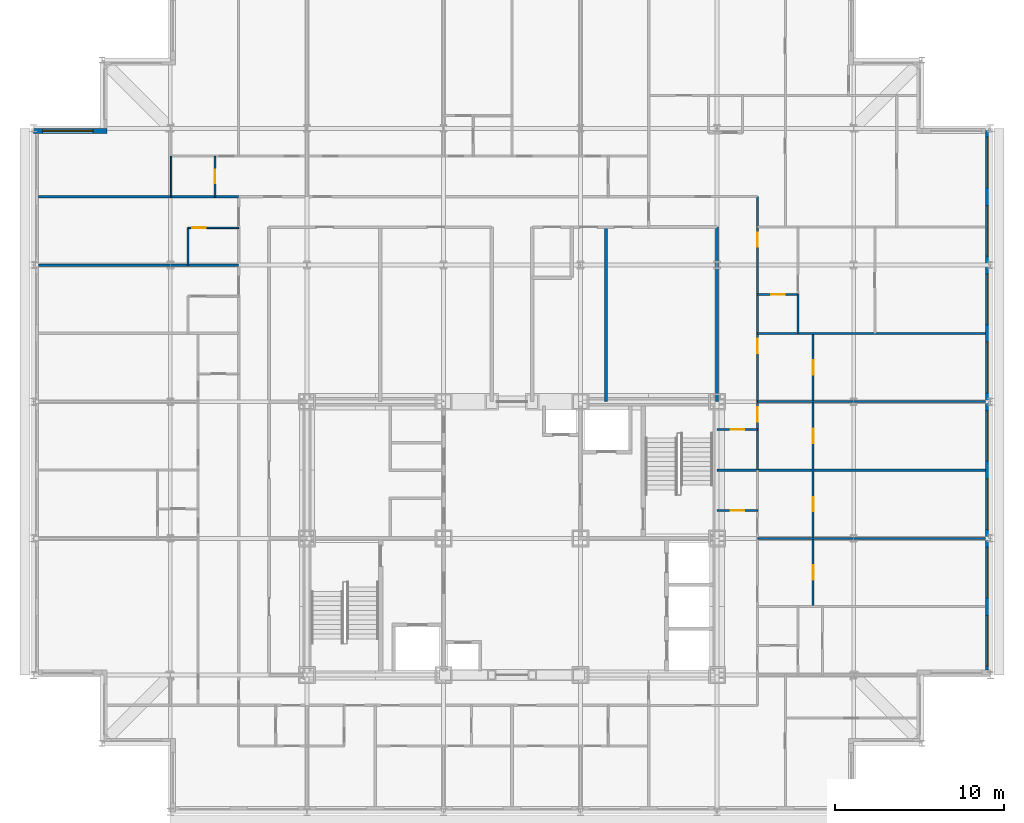
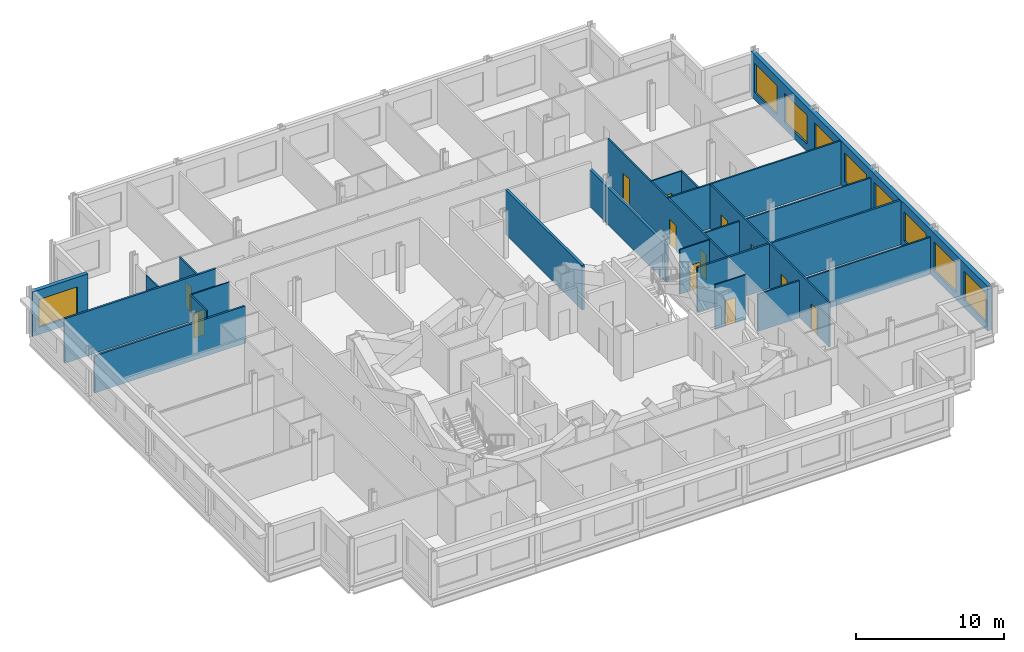
# One storey, part 11 of 15: 20 walls, 12 doors, 9 windows, 21 openings.
"""IFC4 building model written with IfcOpenShell, lengths in metres."""

from ifc_helpers import new_model, si_unit, direction, frame, frame_2d, origin, place, context, subcontext, project, spatial, rectangle, extrude, material, layer, layer_set, type_object, element, fill, save


model = new_model("IFC4")

# Units and contexts
model_context = context("Model", 3, precision=1e-05, world=origin(), true_north=direction((0.0, 1.0)))
body_context = subcontext(model_context, "Body", "Model", "MODEL_VIEW")
ifc_project = project(units=[si_unit("LENGTHUNIT", "METRE"), si_unit("AREAUNIT", "SQUARE_METRE"), si_unit("VOLUMEUNIT", "CUBIC_METRE"), si_unit("PLANEANGLEUNIT", "RADIAN"), si_unit("MASSUNIT", "GRAM", prefix="KILO")], contexts=[model_context])

# Site, building, storey
site_placement = place(None, origin())
site = spatial("IfcSite", under=ifc_project, at=site_placement, CompositionType="ELEMENT")
building_placement = place(site_placement, origin())
building = spatial("IfcBuilding", under=site, at=building_placement, Name="Kopane Lantern Tower", CompositionType="ELEMENT")
storey_placement = place(building_placement, frame((0.0, 0.0, 250.199951171875)))
storey = spatial("IfcBuildingStorey", under=building, at=storey_placement, Name="L64", CompositionType="ELEMENT", Elevation=250.199951171875)

# Wall
ifc_material_1 = material(Name="Gypsum board on steel studs", Category="steel")
ifc_layer_1 = layer(ifc_material_1, 0.1201171875)
ifc_layer_set_1 = layer_set([ifc_layer_1], Name="APARTMENT INTERNAL WALL 120")
wall_type_1 = type_object("IfcWallType", Name="APARTMENT INTERNAL WALL 120", PredefinedType="PARTITIONING", material=ifc_layer_set_1)
wall_1_placement = place(storey_placement, frame((42.89990234375, 32.39990234375, 0.0), z_axis=(0.0, 0.0, 1.0), x_axis=(1.0, 0.0, 0.0)))
element("IfcWall", 1, at=wall_1_placement, inside=storey, type_object=wall_type_1, Name="Apartment Internal Wall 120 L64", PredefinedType="PARTITIONING", context=body_context, shape_type="SweptSolid", body=[
    extrude(rectangle(XDim=13.5, YDim=0.1201171875, at=frame_2d((6.75, 0.0))), origin(), (0.0, 0.0, 1.0), 3.077880859375),
])

# Wall, openings, doors
wall_2_placement = place(storey_placement, frame((42.89990234375, 52.64990234375, 0.0), z_axis=(0.0, 0.0, 1.0), x_axis=(0.0, -1.0, 0.0)))
wall_2 = element("IfcWall", 2, at=wall_2_placement, inside=storey, type_object=wall_type_1, Name="Apartment Internal Wall 120 L64", PredefinedType="PARTITIONING", context=body_context, shape_type="SweptSolid", body=[
    extrude(rectangle(XDim=16.199951171875, YDim=0.1201171875, at=frame_2d((8.10009765625, 0.0))), origin(), (0.0, 0.0, 1.0), 3.68994140625),
])
opening_1_placement = place(wall_2_placement, frame((2.125, 0.0, 0.0)))
opening_1 = element("IfcOpeningElement", 3, at=opening_1_placement, cuts=wall_2, Name="Opening L64-058", PredefinedType="OPENING", context=body_context, shape_type="SweptSolid", body=[
    extrude(rectangle(XDim=0.85009765625, YDim=2.10009765625, at=frame_2d((0.425048828125, 1.050048828125))), frame((0.0, 0.070068359375, 0.0), z_axis=(0.0, -1.0, 0.0), x_axis=(1.0, 0.0, 0.0)), (0.0, 0.0, 1.0), 0.14013671875),
])
opening_2_placement = place(wall_2_placement, frame((8.425048828125, 0.0, 0.0)))
opening_2 = element("IfcOpeningElement", 4, at=opening_2_placement, cuts=wall_2, Name="Opening L64-059", PredefinedType="OPENING", context=body_context, shape_type="SweptSolid", body=[
    extrude(rectangle(XDim=0.85009765625, YDim=2.10009765625, at=frame_2d((0.425048828125, 1.050048828125))), frame((0.0, 0.070068359375, 0.0), z_axis=(0.0, -1.0, 0.0), x_axis=(1.0, 0.0, 0.0)), (0.0, 0.0, 1.0), 0.14013671875),
])
opening_3_placement = place(wall_2_placement, frame((12.47509765625, 0.0, 0.0)))
opening_3 = element("IfcOpeningElement", 5, at=opening_3_placement, cuts=wall_2, Name="Opening L64-060", PredefinedType="OPENING", context=body_context, shape_type="SweptSolid", body=[
    extrude(rectangle(XDim=0.85009765625, YDim=2.10009765625, at=frame_2d((0.425048828125, 1.050048828125))), frame((0.0, 0.070068359375, 0.0), z_axis=(0.0, -1.0, 0.0), x_axis=(1.0, 0.0, 0.0)), (0.0, 0.0, 1.0), 0.14013671875),
])
ifc_material_2 = material(Name="Timber door set", Category="wood")
door_type_1 = type_object("IfcDoorType", Name="DOOR D4 850x2100", OperationType="SINGLE_SWING_LEFT", PredefinedType="DOOR", material=ifc_material_2)
door_1_placement = place(opening_1_placement, origin())
door_1 = element("IfcDoor", 6, at=door_1_placement, inside=storey, type_object=door_type_1, Name="Door L64-058", OperationType="SINGLE_SWING_LEFT", OverallHeight=2.10009765625, OverallWidth=0.85009765625, PredefinedType="DOOR", context=body_context, shape_type="SweptSolid", body=[
    extrude(rectangle(XDim=0.85009765625, YDim=2.10009765625, at=frame_2d((0.425048828125, 1.050048828125))), frame((0.0, 0.02490234375, 0.0), z_axis=(0.0, -1.0, 0.0), x_axis=(1.0, 0.0, 0.0)), (0.0, 0.0, 1.0), 0.050048828125),
])
fill(opening_1, door_1)
door_2_placement = place(opening_2_placement, origin())
door_2 = element("IfcDoor", 7, at=door_2_placement, inside=storey, type_object=door_type_1, Name="Door L64-059", OperationType="SINGLE_SWING_LEFT", OverallHeight=2.10009765625, OverallWidth=0.85009765625, PredefinedType="DOOR", context=body_context, shape_type="SweptSolid", body=[
    extrude(rectangle(XDim=0.85009765625, YDim=2.10009765625, at=frame_2d((0.425048828125, 1.050048828125))), frame((0.0, 0.02490234375, 0.0), z_axis=(0.0, -1.0, 0.0), x_axis=(1.0, 0.0, 0.0)), (0.0, 0.0, 1.0), 0.050048828125),
])
fill(opening_2, door_2)
door_3_placement = place(opening_3_placement, origin())
door_3 = element("IfcDoor", 8, at=door_3_placement, inside=storey, type_object=door_type_1, Name="Door L64-060", OperationType="SINGLE_SWING_LEFT", OverallHeight=2.10009765625, OverallWidth=0.85009765625, PredefinedType="DOOR", context=body_context, shape_type="SweptSolid", body=[
    extrude(rectangle(XDim=0.85009765625, YDim=2.10009765625, at=frame_2d((0.425048828125, 1.050048828125))), frame((0.0, 0.02490234375, 0.0), z_axis=(0.0, -1.0, 0.0), x_axis=(1.0, 0.0, 0.0)), (0.0, 0.0, 1.0), 0.050048828125),
])
fill(opening_3, door_3)

# Walls
wall_3_placement = place(storey_placement, frame((42.89990234375, 44.550048828125, 0.0), z_axis=(0.0, 0.0, 1.0), x_axis=(1.0, 0.0, 0.0)))
element("IfcWall", 9, at=wall_3_placement, inside=storey, type_object=wall_type_1, Name="Apartment Internal Wall 120 L64", PredefinedType="PARTITIONING", context=body_context, shape_type="SweptSolid", body=[
    extrude(rectangle(XDim=13.5, YDim=0.1201171875, at=frame_2d((6.75, 0.0))), origin(), (0.0, 0.0, 1.0), 3.68994140625),
])
wall_4_placement = place(storey_placement, frame((42.89990234375, 40.5, 0.0), z_axis=(0.0, 0.0, 1.0), x_axis=(1.0, 0.0, 0.0)))
element("IfcWall", 10, at=wall_4_placement, inside=storey, type_object=wall_type_1, Name="Apartment Internal Wall 120 L64", PredefinedType="PARTITIONING", context=body_context, shape_type="SweptSolid", body=[
    extrude(rectangle(XDim=13.5, YDim=0.1201171875, at=frame_2d((6.75, 0.0))), origin(), (0.0, 0.0, 1.0), 3.077880859375),
])

# Wall, openings, doors
wall_5_placement = place(storey_placement, frame((46.199951171875, 28.35009765625, 0.0), z_axis=(0.0, 0.0, 1.0), x_axis=(0.0, 1.0, 0.0)))
wall_5 = element("IfcWall", 11, at=wall_5_placement, inside=storey, type_object=wall_type_1, Name="Apartment Internal Wall 120 L64", PredefinedType="PARTITIONING", context=body_context, shape_type="SweptSolid", body=[
    extrude(rectangle(XDim=16.199951171875, YDim=0.1201171875, at=frame_2d((8.10009765625, 0.0))), origin(), (0.0, 0.0, 1.0), 3.68994140625),
])
opening_4_placement = place(wall_5_placement, frame((1.60009765625, 0.0, 0.0)))
opening_4 = element("IfcOpeningElement", 12, at=opening_4_placement, cuts=wall_5, Name="Opening L64-068", PredefinedType="OPENING", context=body_context, shape_type="SweptSolid", body=[
    extrude(rectangle(XDim=0.85009765625, YDim=2.10009765625, at=frame_2d((0.425048828125, 1.050048828125))), frame((0.0, 0.070068359375, 0.0), z_axis=(0.0, -1.0, 0.0), x_axis=(1.0, 0.0, 0.0)), (0.0, 0.0, 1.0), 0.14013671875),
])
opening_5_placement = place(wall_5_placement, frame((5.64990234375, 0.0, 0.0)))
opening_5 = element("IfcOpeningElement", 13, at=opening_5_placement, cuts=wall_5, Name="Opening L64-069", PredefinedType="OPENING", context=body_context, shape_type="SweptSolid", body=[
    extrude(rectangle(XDim=0.85009765625, YDim=2.10009765625, at=frame_2d((0.425048828125, 1.050048828125))), frame((0.0, 0.070068359375, 0.0), z_axis=(0.0, -1.0, 0.0), x_axis=(1.0, 0.0, 0.0)), (0.0, 0.0, 1.0), 0.14013671875),
])
opening_6_placement = place(wall_5_placement, frame((13.75, 0.0, 0.0)))
opening_6 = element("IfcOpeningElement", 14, at=opening_6_placement, cuts=wall_5, Name="Opening L64-072", PredefinedType="OPENING", context=body_context, shape_type="SweptSolid", body=[
    extrude(rectangle(XDim=0.85009765625, YDim=2.10009765625, at=frame_2d((0.425048828125, 1.050048828125))), frame((0.0, 0.070068359375, 0.0), z_axis=(0.0, -1.0, 0.0), x_axis=(1.0, 0.0, 0.0)), (0.0, 0.0, 1.0), 0.14013671875),
])
opening_7_placement = place(wall_5_placement, frame((9.699951171875, 0.0, 0.0)))
opening_7 = element("IfcOpeningElement", 15, at=opening_7_placement, cuts=wall_5, Name="Opening L64-073", PredefinedType="OPENING", context=body_context, shape_type="SweptSolid", body=[
    extrude(rectangle(XDim=0.85009765625, YDim=2.10009765625, at=frame_2d((0.425048828125, 1.050048828125))), frame((0.0, 0.070068359375, 0.0), z_axis=(0.0, -1.0, 0.0), x_axis=(1.0, 0.0, 0.0)), (0.0, 0.0, 1.0), 0.14013671875),
])
door_4_placement = place(opening_4_placement, origin())
door_4 = element("IfcDoor", 16, at=door_4_placement, inside=storey, type_object=door_type_1, Name="Door L64-068", OperationType="SINGLE_SWING_LEFT", OverallHeight=2.10009765625, OverallWidth=0.85009765625, PredefinedType="DOOR", context=body_context, shape_type="SweptSolid", body=[
    extrude(rectangle(XDim=0.85009765625, YDim=2.10009765625, at=frame_2d((0.425048828125, 1.050048828125))), frame((0.0, 0.02490234375, 0.0), z_axis=(0.0, -1.0, 0.0), x_axis=(1.0, 0.0, 0.0)), (0.0, 0.0, 1.0), 0.050048828125),
])
fill(opening_4, door_4)
door_5_placement = place(opening_5_placement, origin())
door_5 = element("IfcDoor", 17, at=door_5_placement, inside=storey, type_object=door_type_1, Name="Door L64-069", OperationType="SINGLE_SWING_RIGHT", OverallHeight=2.10009765625, OverallWidth=0.85009765625, PredefinedType="DOOR", context=body_context, shape_type="SweptSolid", body=[
    extrude(rectangle(XDim=0.85009765625, YDim=2.10009765625, at=frame_2d((0.425048828125, 1.050048828125))), frame((0.0, 0.02490234375, 0.0), z_axis=(0.0, -1.0, 0.0), x_axis=(1.0, 0.0, 0.0)), (0.0, 0.0, 1.0), 0.050048828125),
])
fill(opening_5, door_5)
door_6_placement = place(opening_6_placement, origin())
door_6 = element("IfcDoor", 18, at=door_6_placement, inside=storey, type_object=door_type_1, Name="Door L64-072", OperationType="SINGLE_SWING_RIGHT", OverallHeight=2.10009765625, OverallWidth=0.85009765625, PredefinedType="DOOR", context=body_context, shape_type="SweptSolid", body=[
    extrude(rectangle(XDim=0.85009765625, YDim=2.10009765625, at=frame_2d((0.425048828125, 1.050048828125))), frame((0.0, 0.02490234375, 0.0), z_axis=(0.0, -1.0, 0.0), x_axis=(1.0, 0.0, 0.0)), (0.0, 0.0, 1.0), 0.050048828125),
])
fill(opening_6, door_6)
door_7_placement = place(opening_7_placement, origin())
door_7 = element("IfcDoor", 19, at=door_7_placement, inside=storey, type_object=door_type_1, Name="Door L64-073", OperationType="SINGLE_SWING_LEFT", OverallHeight=2.10009765625, OverallWidth=0.85009765625, PredefinedType="DOOR", context=body_context, shape_type="SweptSolid", body=[
    extrude(rectangle(XDim=0.85009765625, YDim=2.10009765625, at=frame_2d((0.425048828125, 1.050048828125))), frame((0.0, 0.02490234375, 0.0), z_axis=(0.0, -1.0, 0.0), x_axis=(1.0, 0.0, 0.0)), (0.0, 0.0, 1.0), 0.050048828125),
])
fill(opening_7, door_7)

# Wall
ifc_material_3 = material(Name="Moisture-resistant board on steel studs", Category="steel")
ifc_layer_2 = layer(ifc_material_3, 0.10009765625)
ifc_layer_set_2 = layer_set([ifc_layer_2], Name="BATHROOM WALL 100")
wall_type_2 = type_object("IfcWallType", Name="BATHROOM WALL 100", PredefinedType="PARTITIONING", material=ifc_layer_set_2)
wall_6_placement = place(storey_placement, frame((9.14990234375, 48.60009765625, 0.0), z_axis=(0.0, 0.0, 1.0), x_axis=(0.0, 1.0, 0.0)))
element("IfcWall", 20, at=wall_6_placement, inside=storey, type_object=wall_type_2, Name="Bathroom Wall 100 L64", PredefinedType="PARTITIONING", context=body_context, shape_type="SweptSolid", body=[
    extrude(rectangle(XDim=2.199951171875, YDim=0.10009765625, at=frame_2d((1.10009765625, 0.0))), origin(), (0.0, 0.0, 1.0), 3.68994140625),
])

# Wall, opening, door
wall_7_placement = place(storey_placement, frame((12.14990234375, 50.800048828125, 0.0), z_axis=(0.0, 0.0, 1.0), x_axis=(-1.0, 0.0, 0.0)))
wall_7 = element("IfcWall", 21, at=wall_7_placement, inside=storey, type_object=wall_type_2, Name="Bathroom Wall 100 L64", PredefinedType="PARTITIONING", context=body_context, shape_type="SweptSolid", body=[
    extrude(rectangle(XDim=3.0, YDim=0.10009765625, at=frame_2d((1.5, 0.0))), origin(), (0.0, 0.0, 1.0), 3.68994140625),
])
opening_8_placement = place(wall_7_placement, frame((1.949951171875, 0.0, 0.0)))
opening_8 = element("IfcOpeningElement", 22, at=opening_8_placement, cuts=wall_7, Name="Opening L64-034", PredefinedType="OPENING", context=body_context, shape_type="SweptSolid", body=[
    extrude(rectangle(XDim=0.800048828125, YDim=2.10009765625, at=frame_2d((0.39990234375, 1.050048828125))), frame((0.0, 0.06005859375, 0.0), z_axis=(0.0, -1.0, 0.0), x_axis=(1.0, 0.0, 0.0)), (0.0, 0.0, 1.0), 0.1201171875),
])
ifc_material_4 = material(Name="Timber door set", Category="wood")
door_type_2 = type_object("IfcDoorType", Name="DOOR D2 800x2100", OperationType="SINGLE_SWING_LEFT", PredefinedType="DOOR", material=ifc_material_4)
door_8_placement = place(opening_8_placement, origin())
door_8 = element("IfcDoor", 23, at=door_8_placement, inside=storey, type_object=door_type_2, Name="Door L64-034", OperationType="SINGLE_SWING_RIGHT", OverallHeight=2.10009765625, OverallWidth=0.800048828125, PredefinedType="DOOR", context=body_context, shape_type="SweptSolid", body=[
    extrude(rectangle(XDim=0.800048828125, YDim=2.10009765625, at=frame_2d((0.39990234375, 1.050048828125))), frame((0.0, 0.02490234375, 0.0), z_axis=(0.0, -1.0, 0.0), x_axis=(1.0, 0.0, 0.0)), (0.0, 0.0, 1.0), 0.050048828125),
])
fill(opening_8, door_8)

wall_8_placement = place(storey_placement, frame((10.75, 52.64990234375, 0.0), z_axis=(0.0, 0.0, 1.0), x_axis=(0.0, 1.0, 0.0)))
wall_8 = element("IfcWall", 24, at=wall_8_placement, inside=storey, type_object=wall_type_2, Name="Bathroom Wall 100 L64", PredefinedType="PARTITIONING", context=body_context, shape_type="SweptSolid", body=[
    extrude(rectangle(XDim=2.400146484375, YDim=0.10009765625, at=frame_2d((1.2001953125, 0.0))), origin(), (0.0, 0.0, 1.0), 3.68994140625),
])
opening_9_placement = place(wall_8_placement, frame((0.800048828125, 0.0, 0.0)))
opening_9 = element("IfcOpeningElement", 25, at=opening_9_placement, cuts=wall_8, Name="Opening L64-041", PredefinedType="OPENING", context=body_context, shape_type="SweptSolid", body=[
    extrude(rectangle(XDim=0.800048828125, YDim=2.10009765625, at=frame_2d((0.39990234375, 1.050048828125))), frame((0.0, 0.06005859375, 0.0), z_axis=(0.0, -1.0, 0.0), x_axis=(1.0, 0.0, 0.0)), (0.0, 0.0, 1.0), 0.1201171875),
])
door_9_placement = place(opening_9_placement, origin())
door_9 = element("IfcDoor", 26, at=door_9_placement, inside=storey, type_object=door_type_2, Name="Door L64-041", OperationType="SINGLE_SWING_LEFT", OverallHeight=2.10009765625, OverallWidth=0.800048828125, PredefinedType="DOOR", context=body_context, shape_type="SweptSolid", body=[
    extrude(rectangle(XDim=0.800048828125, YDim=2.10009765625, at=frame_2d((0.39990234375, 1.050048828125))), frame((0.0, 0.02490234375, 0.0), z_axis=(0.0, -1.0, 0.0), x_axis=(1.0, 0.0, 0.0)), (0.0, 0.0, 1.0), 0.050048828125),
])
fill(opening_9, door_9)

# Wall
wall_9_placement = place(storey_placement, frame((8.14990234375, 52.64990234375, 0.0), z_axis=(0.0, 0.0, 1.0), x_axis=(0.0, 1.0, 0.0)))
element("IfcWall", 27, at=wall_9_placement, inside=storey, type_object=wall_type_2, Name="Bathroom Wall 100 L64", PredefinedType="PARTITIONING", context=body_context, shape_type="SweptSolid", body=[
    extrude(rectangle(XDim=2.400146484375, YDim=0.10009765625, at=frame_2d((1.2001953125, 0.0))), origin(), (0.0, 0.0, 1.0), 3.077880859375),
])

# Wall, opening, door
wall_10_placement = place(storey_placement, frame((40.5, 34.050048828125, 0.0), z_axis=(0.0, 0.0, 1.0), x_axis=(1.0, 0.0, 0.0)))
wall_10 = element("IfcWall", 28, at=wall_10_placement, inside=storey, type_object=wall_type_2, Name="Bathroom Wall 100 L64", PredefinedType="PARTITIONING", context=body_context, shape_type="SweptSolid", body=[
    extrude(rectangle(XDim=2.39990234375, YDim=0.10009765625, at=frame_2d((1.199951171875, 0.0))), origin(), (0.0, 0.0, 1.0), 3.68994140625),
])
opening_10_placement = place(wall_10_placement, frame((0.800048828125, 0.0, 0.0)))
opening_10 = element("IfcOpeningElement", 29, at=opening_10_placement, cuts=wall_10, Name="Opening L64-044", PredefinedType="OPENING", context=body_context, shape_type="SweptSolid", body=[
    extrude(rectangle(XDim=0.800048828125, YDim=2.10009765625, at=frame_2d((0.39990234375, 1.050048828125))), frame((0.0, 0.06005859375, 0.0), z_axis=(0.0, -1.0, 0.0), x_axis=(1.0, 0.0, 0.0)), (0.0, 0.0, 1.0), 0.1201171875),
])
door_10_placement = place(opening_10_placement, origin())
door_10 = element("IfcDoor", 30, at=door_10_placement, inside=storey, type_object=door_type_2, Name="Door L64-044", OperationType="SINGLE_SWING_LEFT", OverallHeight=2.10009765625, OverallWidth=0.800048828125, PredefinedType="DOOR", context=body_context, shape_type="SweptSolid", body=[
    extrude(rectangle(XDim=0.800048828125, YDim=2.10009765625, at=frame_2d((0.39990234375, 1.050048828125))), frame((0.0, 0.02490234375, 0.0), z_axis=(0.0, -1.0, 0.0), x_axis=(1.0, 0.0, 0.0)), (0.0, 0.0, 1.0), 0.050048828125),
])
fill(opening_10, door_10)

wall_11_placement = place(storey_placement, frame((40.5, 38.85009765625, 0.0), z_axis=(0.0, 0.0, 1.0), x_axis=(1.0, 0.0, 0.0)))
wall_11 = element("IfcWall", 31, at=wall_11_placement, inside=storey, type_object=wall_type_2, Name="Bathroom Wall 100 L64", PredefinedType="PARTITIONING", context=body_context, shape_type="SweptSolid", body=[
    extrude(rectangle(XDim=2.39990234375, YDim=0.10009765625, at=frame_2d((1.199951171875, 0.0))), origin(), (0.0, 0.0, 1.0), 3.68994140625),
])
opening_11_placement = place(wall_11_placement, frame((0.800048828125, 0.0, 0.0)))
opening_11 = element("IfcOpeningElement", 32, at=opening_11_placement, cuts=wall_11, Name="Opening L64-052", PredefinedType="OPENING", context=body_context, shape_type="SweptSolid", body=[
    extrude(rectangle(XDim=0.800048828125, YDim=2.10009765625, at=frame_2d((0.39990234375, 1.050048828125))), frame((0.0, 0.06005859375, 0.0), z_axis=(0.0, -1.0, 0.0), x_axis=(1.0, 0.0, 0.0)), (0.0, 0.0, 1.0), 0.1201171875),
])
door_11_placement = place(opening_11_placement, origin())
door_11 = element("IfcDoor", 33, at=door_11_placement, inside=storey, type_object=door_type_2, Name="Door L64-052", OperationType="SINGLE_SWING_RIGHT", OverallHeight=2.10009765625, OverallWidth=0.800048828125, PredefinedType="DOOR", context=body_context, shape_type="SweptSolid", body=[
    extrude(rectangle(XDim=0.800048828125, YDim=2.10009765625, at=frame_2d((0.39990234375, 1.050048828125))), frame((0.0, 0.02490234375, 0.0), z_axis=(0.0, -1.0, 0.0), x_axis=(1.0, 0.0, 0.0)), (0.0, 0.0, 1.0), 0.050048828125),
])
fill(opening_11, door_11)

wall_12_placement = place(storey_placement, frame((42.89990234375, 46.85009765625, 0.0), z_axis=(0.0, 0.0, 1.0), x_axis=(1.0, 0.0, 0.0)))
wall_12 = element("IfcWall", 34, at=wall_12_placement, inside=storey, type_object=wall_type_2, Name="Bathroom Wall 100 L64", PredefinedType="PARTITIONING", context=body_context, shape_type="SweptSolid", body=[
    extrude(rectangle(XDim=2.400146484375, YDim=0.10009765625, at=frame_2d((1.2001953125, 0.0))), origin(), (0.0, 0.0, 1.0), 3.68994140625),
])
opening_12_placement = place(wall_12_placement, frame((0.800048828125, 0.0, 0.0)))
opening_12 = element("IfcOpeningElement", 35, at=opening_12_placement, cuts=wall_12, Name="Opening L64-057", PredefinedType="OPENING", context=body_context, shape_type="SweptSolid", body=[
    extrude(rectangle(XDim=0.800048828125, YDim=2.10009765625, at=frame_2d((0.39990234375, 1.050048828125))), frame((0.0, 0.06005859375, 0.0), z_axis=(0.0, -1.0, 0.0), x_axis=(1.0, 0.0, 0.0)), (0.0, 0.0, 1.0), 0.1201171875),
])
door_12_placement = place(opening_12_placement, origin())
door_12 = element("IfcDoor", 36, at=door_12_placement, inside=storey, type_object=door_type_2, Name="Door L64-057", OperationType="SINGLE_SWING_LEFT", OverallHeight=2.10009765625, OverallWidth=0.800048828125, PredefinedType="DOOR", context=body_context, shape_type="SweptSolid", body=[
    extrude(rectangle(XDim=0.800048828125, YDim=2.10009765625, at=frame_2d((0.39990234375, 1.050048828125))), frame((0.0, 0.02490234375, 0.0), z_axis=(0.0, -1.0, 0.0), x_axis=(1.0, 0.0, 0.0)), (0.0, 0.0, 1.0), 0.050048828125),
])
fill(opening_12, door_12)

# Walls
wall_13_placement = place(storey_placement, frame((45.300048828125, 46.85009765625, 0.0), z_axis=(0.0, 0.0, 1.0), x_axis=(0.0, -1.0, 0.0)))
element("IfcWall", 37, at=wall_13_placement, inside=storey, type_object=wall_type_2, Name="Bathroom Wall 100 L64", PredefinedType="PARTITIONING", context=body_context, shape_type="SweptSolid", body=[
    extrude(rectangle(XDim=2.300048828125, YDim=0.10009765625, at=frame_2d((1.14990234375, 0.0))), origin(), (0.0, 0.0, 1.0), 3.68994140625),
])
ifc_material_5 = material(Name="Gypsum board on steel studs", Category="steel")
ifc_layer_3 = layer(ifc_material_5, 0.14990234375)
ifc_layer_set_3 = layer_set([ifc_layer_3], Name="DEMISING WALL 150 EI 60")
wall_type_3 = type_object("IfcWallType", Name="DEMISING WALL 150 EI 60", PredefinedType="PARTITIONING", material=ifc_layer_set_3)
wall_14_placement = place(storey_placement, frame((12.14990234375, 48.60009765625, 0.0), z_axis=(0.0, 0.0, 1.0), x_axis=(-1.0, 0.0, 0.0)))
element("IfcWall", 38, at=wall_14_placement, inside=storey, type_object=wall_type_3, Name="Demising Wall 150 Ei 60 L64", PredefinedType="PARTITIONING", context=body_context, shape_type="SweptSolid", body=[
    extrude(rectangle(XDim=11.849853515625, YDim=0.14990234375, at=frame_2d((5.9248046875, 0.0))), origin(), (0.0, 0.0, 1.0), 3.077880859375),
])
wall_15_placement = place(storey_placement, frame((0.300048828125, 52.64990234375, 0.0), z_axis=(0.0, 0.0, 1.0), x_axis=(1.0, 0.0, 0.0)))
element("IfcWall", 39, at=wall_15_placement, inside=storey, type_object=wall_type_3, Name="Demising Wall 150 Ei 60 L64", PredefinedType="PARTITIONING", context=body_context, shape_type="SweptSolid", body=[
    extrude(rectangle(XDim=11.849853515625, YDim=0.14990234375, at=frame_2d((5.9248046875, 0.0))), origin(), (0.0, 0.0, 1.0), 3.68994140625),
])
wall_16_placement = place(storey_placement, frame((40.5, 36.449951171875, 0.0), z_axis=(0.0, 0.0, 1.0), x_axis=(1.0, 0.0, 0.0)))
element("IfcWall", 40, at=wall_16_placement, inside=storey, type_object=wall_type_3, Name="Demising Wall 150 Ei 60 L64", PredefinedType="PARTITIONING", context=body_context, shape_type="SweptSolid", body=[
    extrude(rectangle(XDim=15.89990234375, YDim=0.14990234375, at=frame_2d((7.949951171875, 0.0))), origin(), (0.0, 0.0, 1.0), 3.68994140625),
])

# Wall, openings, windows
ifc_material_6 = material(Name="Terracotta rainscreen on light steel framing", Category="masonry")
ifc_layer_4 = layer(ifc_material_6, 0.300048828125)
ifc_layer_set_4 = layer_set([ifc_layer_4], Name="EXTERNAL WALL EW1 300 TERRACOTTA")
wall_type_4 = type_object("IfcWallType", Name="EXTERNAL WALL EW1 300 TERRACOTTA", PredefinedType="SOLIDWALL", material=ifc_layer_set_4)
wall_17_placement = place(storey_placement, frame((56.550048828125, 24.60009765625, 0.0), z_axis=(0.0, 0.0, 1.0), x_axis=(0.0, 1.0, 0.0)))
wall_17 = element("IfcWall", 41, at=wall_17_placement, inside=storey, type_object=wall_type_4, Name="External wall E L64", PredefinedType="SOLIDWALL", context=body_context, shape_type="SweptSolid", body=[
    extrude(rectangle(XDim=32.099853515625, YDim=0.300048828125, at=frame_2d((16.0498046875, 0.0))), origin(), (0.0, 0.0, 1.0), 3.68994140625),
])
opening_13_placement = place(wall_17_placement, frame((0.22509765625, 0.0, 0.60009765625)))
opening_13 = element("IfcOpeningElement", 42, at=opening_13_placement, cuts=wall_17, Name="Opening WR300240", PredefinedType="OPENING", context=body_context, shape_type="SweptSolid", body=[
    extrude(rectangle(XDim=3.0, YDim=2.39990234375, at=frame_2d((1.5, 1.199951171875))), frame((0.0, 0.159912109375, 0.0), z_axis=(0.0, -1.0, 0.0), x_axis=(1.0, 0.0, 0.0)), (0.0, 0.0, 1.0), 0.320068359375),
])
opening_14_placement = place(wall_17_placement, frame((4.27490234375, 0.0, 0.60009765625)))
opening_14 = element("IfcOpeningElement", 43, at=opening_14_placement, cuts=wall_17, Name="Opening WR300240", PredefinedType="OPENING", context=body_context, shape_type="SweptSolid", body=[
    extrude(rectangle(XDim=3.0, YDim=2.39990234375, at=frame_2d((1.5, 1.199951171875))), frame((0.0, 0.159912109375, 0.0), z_axis=(0.0, -1.0, 0.0), x_axis=(1.0, 0.0, 0.0)), (0.0, 0.0, 1.0), 0.320068359375),
])
opening_15_placement = place(wall_17_placement, frame((8.324951171875, 0.0, 0.60009765625)))
opening_15 = element("IfcOpeningElement", 44, at=opening_15_placement, cuts=wall_17, Name="Opening WR300240", PredefinedType="OPENING", context=body_context, shape_type="SweptSolid", body=[
    extrude(rectangle(XDim=3.0, YDim=2.39990234375, at=frame_2d((1.5, 1.199951171875))), frame((0.0, 0.159912109375, 0.0), z_axis=(0.0, -1.0, 0.0), x_axis=(1.0, 0.0, 0.0)), (0.0, 0.0, 1.0), 0.320068359375),
])
opening_16_placement = place(wall_17_placement, frame((12.375, 0.0, 0.60009765625)))
opening_16 = element("IfcOpeningElement", 45, at=opening_16_placement, cuts=wall_17, Name="Opening WR300240", PredefinedType="OPENING", context=body_context, shape_type="SweptSolid", body=[
    extrude(rectangle(XDim=3.0, YDim=2.39990234375, at=frame_2d((1.5, 1.199951171875))), frame((0.0, 0.159912109375, 0.0), z_axis=(0.0, -1.0, 0.0), x_axis=(1.0, 0.0, 0.0)), (0.0, 0.0, 1.0), 0.320068359375),
])
opening_17_placement = place(wall_17_placement, frame((16.425048828125, 0.0, 0.60009765625)))
opening_17 = element("IfcOpeningElement", 46, at=opening_17_placement, cuts=wall_17, Name="Opening WR300240", PredefinedType="OPENING", context=body_context, shape_type="SweptSolid", body=[
    extrude(rectangle(XDim=3.0, YDim=2.39990234375, at=frame_2d((1.5, 1.199951171875))), frame((0.0, 0.159912109375, 0.0), z_axis=(0.0, -1.0, 0.0), x_axis=(1.0, 0.0, 0.0)), (0.0, 0.0, 1.0), 0.320068359375),
])
opening_18_placement = place(wall_17_placement, frame((20.47509765625, 0.0, 0.60009765625)))
opening_18 = element("IfcOpeningElement", 47, at=opening_18_placement, cuts=wall_17, Name="Opening WR300240", PredefinedType="OPENING", context=body_context, shape_type="SweptSolid", body=[
    extrude(rectangle(XDim=3.0, YDim=2.39990234375, at=frame_2d((1.5, 1.199951171875))), frame((0.0, 0.159912109375, 0.0), z_axis=(0.0, -1.0, 0.0), x_axis=(1.0, 0.0, 0.0)), (0.0, 0.0, 1.0), 0.320068359375),
])
opening_19_placement = place(wall_17_placement, frame((24.52490234375, 0.0, 0.60009765625)))
opening_19 = element("IfcOpeningElement", 48, at=opening_19_placement, cuts=wall_17, Name="Opening WR300240", PredefinedType="OPENING", context=body_context, shape_type="SweptSolid", body=[
    extrude(rectangle(XDim=3.0, YDim=2.39990234375, at=frame_2d((1.5, 1.199951171875))), frame((0.0, 0.159912109375, 0.0), z_axis=(0.0, -1.0, 0.0), x_axis=(1.0, 0.0, 0.0)), (0.0, 0.0, 1.0), 0.320068359375),
])
opening_20_placement = place(wall_17_placement, frame((28.574951171875, 0.0, 0.60009765625)))
opening_20 = element("IfcOpeningElement", 49, at=opening_20_placement, cuts=wall_17, Name="Opening WR300240", PredefinedType="OPENING", context=body_context, shape_type="SweptSolid", body=[
    extrude(rectangle(XDim=3.0, YDim=2.39990234375, at=frame_2d((1.5, 1.199951171875))), frame((0.0, 0.159912109375, 0.0), z_axis=(0.0, -1.0, 0.0), x_axis=(1.0, 0.0, 0.0)), (0.0, 0.0, 1.0), 0.320068359375),
])
ifc_material_7 = material(Name="Aluminium and clear glass", Category="aluminium")
window_type_1 = type_object("IfcWindowType", Name="RIBBON WINDOW WR300240 3000x2400", PartitioningType="SINGLE_PANEL", PredefinedType="WINDOW", material=ifc_material_7)
window_1_placement = place(opening_13_placement, origin())
window_1 = element("IfcWindow", 50, at=window_1_placement, inside=storey, type_object=window_type_1, Name="Window E L64", OverallHeight=2.39990234375, OverallWidth=3.0, PartitioningType="SINGLE_PANEL", PredefinedType="WINDOW", context=body_context, shape_type="SweptSolid", body=[
    extrude(rectangle(XDim=3.0, YDim=2.39990234375, at=frame_2d((1.5, 1.199951171875))), frame((0.0, 0.030029296875, 0.0), z_axis=(0.0, -1.0, 0.0), x_axis=(1.0, 0.0, 0.0)), (0.0, 0.0, 1.0), 0.06005859375),
])
fill(opening_13, window_1)
window_2_placement = place(opening_14_placement, origin())
window_2 = element("IfcWindow", 51, at=window_2_placement, inside=storey, type_object=window_type_1, Name="Window E L64", OverallHeight=2.39990234375, OverallWidth=3.0, PartitioningType="SINGLE_PANEL", PredefinedType="WINDOW", context=body_context, shape_type="SweptSolid", body=[
    extrude(rectangle(XDim=3.0, YDim=2.39990234375, at=frame_2d((1.5, 1.199951171875))), frame((0.0, 0.030029296875, 0.0), z_axis=(0.0, -1.0, 0.0), x_axis=(1.0, 0.0, 0.0)), (0.0, 0.0, 1.0), 0.06005859375),
])
fill(opening_14, window_2)
window_3_placement = place(opening_15_placement, origin())
window_3 = element("IfcWindow", 52, at=window_3_placement, inside=storey, type_object=window_type_1, Name="Window E L64", OverallHeight=2.39990234375, OverallWidth=3.0, PartitioningType="SINGLE_PANEL", PredefinedType="WINDOW", context=body_context, shape_type="SweptSolid", body=[
    extrude(rectangle(XDim=3.0, YDim=2.39990234375, at=frame_2d((1.5, 1.199951171875))), frame((0.0, 0.030029296875, 0.0), z_axis=(0.0, -1.0, 0.0), x_axis=(1.0, 0.0, 0.0)), (0.0, 0.0, 1.0), 0.06005859375),
])
fill(opening_15, window_3)
window_4_placement = place(opening_16_placement, origin())
window_4 = element("IfcWindow", 53, at=window_4_placement, inside=storey, type_object=window_type_1, Name="Window E L64", OverallHeight=2.39990234375, OverallWidth=3.0, PartitioningType="SINGLE_PANEL", PredefinedType="WINDOW", context=body_context, shape_type="SweptSolid", body=[
    extrude(rectangle(XDim=3.0, YDim=2.39990234375, at=frame_2d((1.5, 1.199951171875))), frame((0.0, 0.030029296875, 0.0), z_axis=(0.0, -1.0, 0.0), x_axis=(1.0, 0.0, 0.0)), (0.0, 0.0, 1.0), 0.06005859375),
])
fill(opening_16, window_4)
window_5_placement = place(opening_17_placement, origin())
window_5 = element("IfcWindow", 54, at=window_5_placement, inside=storey, type_object=window_type_1, Name="Window E L64", OverallHeight=2.39990234375, OverallWidth=3.0, PartitioningType="SINGLE_PANEL", PredefinedType="WINDOW", context=body_context, shape_type="SweptSolid", body=[
    extrude(rectangle(XDim=3.0, YDim=2.39990234375, at=frame_2d((1.5, 1.199951171875))), frame((0.0, 0.030029296875, 0.0), z_axis=(0.0, -1.0, 0.0), x_axis=(1.0, 0.0, 0.0)), (0.0, 0.0, 1.0), 0.06005859375),
])
fill(opening_17, window_5)
window_6_placement = place(opening_18_placement, origin())
window_6 = element("IfcWindow", 55, at=window_6_placement, inside=storey, type_object=window_type_1, Name="Window E L64", OverallHeight=2.39990234375, OverallWidth=3.0, PartitioningType="SINGLE_PANEL", PredefinedType="WINDOW", context=body_context, shape_type="SweptSolid", body=[
    extrude(rectangle(XDim=3.0, YDim=2.39990234375, at=frame_2d((1.5, 1.199951171875))), frame((0.0, 0.030029296875, 0.0), z_axis=(0.0, -1.0, 0.0), x_axis=(1.0, 0.0, 0.0)), (0.0, 0.0, 1.0), 0.06005859375),
])
fill(opening_18, window_6)
window_7_placement = place(opening_19_placement, origin())
window_7 = element("IfcWindow", 56, at=window_7_placement, inside=storey, type_object=window_type_1, Name="Window E L64", OverallHeight=2.39990234375, OverallWidth=3.0, PartitioningType="SINGLE_PANEL", PredefinedType="WINDOW", context=body_context, shape_type="SweptSolid", body=[
    extrude(rectangle(XDim=3.0, YDim=2.39990234375, at=frame_2d((1.5, 1.199951171875))), frame((0.0, 0.030029296875, 0.0), z_axis=(0.0, -1.0, 0.0), x_axis=(1.0, 0.0, 0.0)), (0.0, 0.0, 1.0), 0.06005859375),
])
fill(opening_19, window_7)
window_8_placement = place(opening_20_placement, origin())
window_8 = element("IfcWindow", 57, at=window_8_placement, inside=storey, type_object=window_type_1, Name="Window E L64", OverallHeight=2.39990234375, OverallWidth=3.0, PartitioningType="SINGLE_PANEL", PredefinedType="WINDOW", context=body_context, shape_type="SweptSolid", body=[
    extrude(rectangle(XDim=3.0, YDim=2.39990234375, at=frame_2d((1.5, 1.199951171875))), frame((0.0, 0.030029296875, 0.0), z_axis=(0.0, -1.0, 0.0), x_axis=(1.0, 0.0, 0.0)), (0.0, 0.0, 1.0), 0.06005859375),
])
fill(opening_20, window_8)

# Wall, opening, window
wall_18_placement = place(storey_placement, frame((4.35009765625, 56.550048828125, 0.0), z_axis=(0.0, 0.0, 1.0), x_axis=(-1.0, 0.0, 0.0)))
wall_18 = element("IfcWall", 58, at=wall_18_placement, inside=storey, type_object=wall_type_4, Name="External wall N L64", PredefinedType="SOLIDWALL", context=body_context, shape_type="SweptSolid", body=[
    extrude(rectangle(XDim=4.35009765625, YDim=0.300048828125, at=frame_2d((2.175048828125, 0.0))), origin(), (0.0, 0.0, 1.0), 3.68994140625),
])
opening_21_placement = place(wall_18_placement, frame((0.824951171875, 0.0, 0.60009765625)))
opening_21 = element("IfcOpeningElement", 59, at=opening_21_placement, cuts=wall_18, Name="Opening WR300230", PredefinedType="OPENING", context=body_context, shape_type="SweptSolid", body=[
    extrude(rectangle(XDim=3.0, YDim=2.300048828125, at=frame_2d((1.5, 1.14990234375))), frame((0.0, 0.159912109375, 0.0), z_axis=(0.0, -1.0, 0.0), x_axis=(1.0, 0.0, 0.0)), (0.0, 0.0, 1.0), 0.320068359375),
])
ifc_material_8 = material(Name="Aluminium and clear glass", Category="aluminium")
window_type_2 = type_object("IfcWindowType", Name="RIBBON WINDOW WR300230 3000x2300", PartitioningType="SINGLE_PANEL", PredefinedType="WINDOW", material=ifc_material_8)
window_9_placement = place(opening_21_placement, origin())
window_9 = element("IfcWindow", 60, at=window_9_placement, inside=storey, type_object=window_type_2, Name="Window N L64", OverallHeight=2.300048828125, OverallWidth=3.0, PartitioningType="SINGLE_PANEL", PredefinedType="WINDOW", context=body_context, shape_type="SweptSolid", body=[
    extrude(rectangle(XDim=3.0, YDim=2.300048828125, at=frame_2d((1.5, 1.14990234375))), frame((0.0, 0.030029296875, 0.0), z_axis=(0.0, -1.0, 0.0), x_axis=(1.0, 0.0, 0.0)), (0.0, 0.0, 1.0), 0.06005859375),
])
fill(opening_21, window_9)

# Walls
ifc_material_9 = material(Name="Concrete masonry", Category="masonry")
ifc_layer_5 = layer(ifc_material_9, 0.199951171875)
ifc_layer_set_5 = layer_set([ifc_layer_5], Name="PLANT ROOM WALL 200 EI 120")
wall_type_5 = type_object("IfcWallType", Name="PLANT ROOM WALL 200 EI 120", PredefinedType="SOLIDWALL", material=ifc_layer_set_5)
wall_19_placement = place(storey_placement, frame((33.916748046875, 50.85009765625, 0.0), z_axis=(0.0, 0.0, 1.0), x_axis=(0.0, -1.0, 0.0)))
element("IfcWall", 61, at=wall_19_placement, inside=storey, type_object=wall_type_5, Name="Plant Room Wall 200 Ei 120 L64", PredefinedType="SOLIDWALL", context=body_context, shape_type="SweptSolid", body=[
    extrude(rectangle(XDim=10.35009765625, YDim=0.199951171875, at=frame_2d((5.175048828125, 0.0))), origin(), (0.0, 0.0, 1.0), 3.68994140625),
])
wall_20_placement = place(storey_placement, frame((40.5, 40.5, 0.0), z_axis=(0.0, 0.0, 1.0), x_axis=(0.0, 1.0, 0.0)))
element("IfcWall", 62, at=wall_20_placement, inside=storey, type_object=wall_type_5, Name="Plant Room Wall 200 Ei 120 L64", PredefinedType="SOLIDWALL", context=body_context, shape_type="SweptSolid", body=[
    extrude(rectangle(XDim=10.35009765625, YDim=0.199951171875, at=frame_2d((5.175048828125, 0.0))), origin(), (0.0, 0.0, 1.0), 3.077880859375),
])

save(model, "model.ifc")
